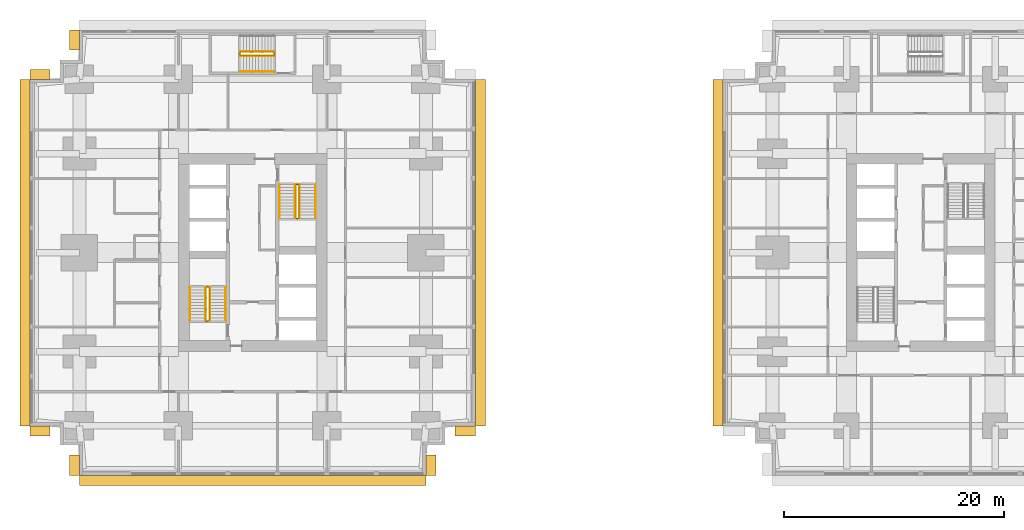
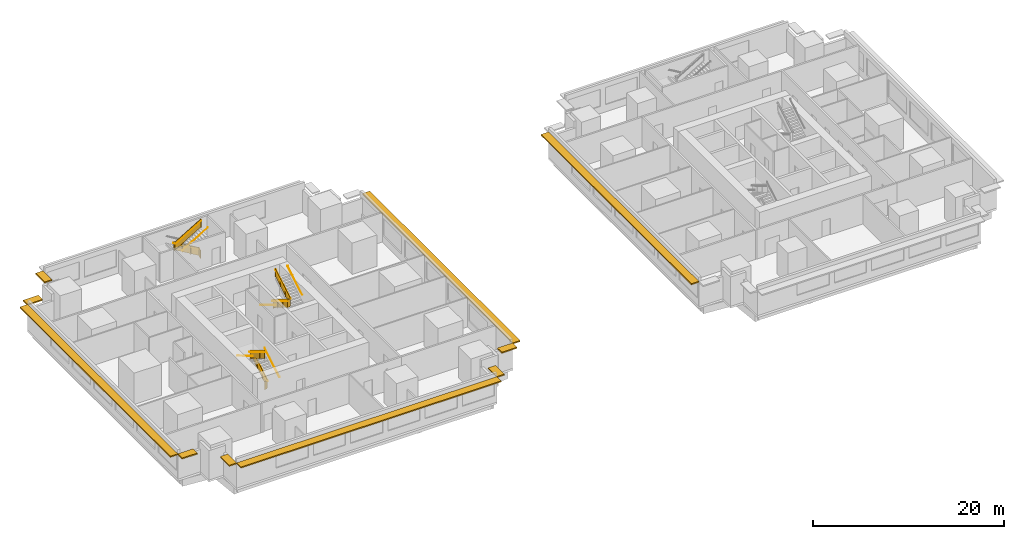
# One storey, part 9 of 11: 14 railings, 10 shading devices.
"""IFC4 building model written with IfcOpenShell, lengths in metres."""

from ifc_helpers import new_model, si_unit, direction, frame, origin, origin_2d, place, context, subcontext, project, spatial, polyline, rectangle, circle, outline, extrude, material, layer, layer_set, type_object, element, save


model = new_model("IFC4")

# Units and contexts
model_context = context("Model", 3, precision=1e-05, world=origin(), true_north=direction((0.0, 1.0)))
body_context = subcontext(model_context, "Body", "Model", "MODEL_VIEW")
ifc_project = project(units=[si_unit("LENGTHUNIT", "METRE"), si_unit("AREAUNIT", "SQUARE_METRE"), si_unit("VOLUMEUNIT", "CUBIC_METRE"), si_unit("PLANEANGLEUNIT", "RADIAN"), si_unit("MASSUNIT", "GRAM", prefix="KILO")], contexts=[model_context])

# Site, building, storey
site_placement = place(None, origin())
site = spatial("IfcSite", under=ifc_project, at=site_placement, CompositionType="ELEMENT")
building_placement = place(site_placement, origin())
building = spatial("IfcBuilding", under=site, at=building_placement, Name="Namib Vertical Campus", CompositionType="ELEMENT")
storey_placement = place(building_placement, frame((0.0, 0.0, 25.0)))
storey = spatial("IfcBuildingStorey", under=building, at=storey_placement, Name="L05", CompositionType="ELEMENT", Elevation=25.0)

# Railings
ifc_material_1 = material(Name="Steel handrail", Category="steel")
railing_type_1 = type_object("IfcRailingType", Name="Handrail 900", PredefinedType="HANDRAIL", material=ifc_material_1)
railing_1_placement = place(storey_placement, frame((17.800048828125, 14.050048828125, 0.166748046875)))
element("IfcRailing", 1, at=railing_1_placement, inside=storey, type_object=railing_type_1, Name="Handrail HR1 A-S1 L05 1", PredefinedType="HANDRAIL", context=body_context, shape_type="SweptSolid", body=[
    extrude(circle(Radius=0.02392578125, at=origin_2d()), frame((0.0, 0.0, 0.8759765625), z_axis=(0.0, 0.859290745958, 0.51148745235), x_axis=(-1.0, 0.0, 0.0)), (0.0, 0.0, 1.0), 3.584228515625),
    extrude(circle(Radius=0.008056640625, at=origin_2d()), frame((0.0, 0.0, 0.8759765625), z_axis=(1.0, 0.0, 0.0), x_axis=(0.0, 0.0, 1.0)), (0.0, 0.0, 1.0), 0.050048828125),
    extrude(circle(Radius=0.008056640625, at=origin_2d()), frame((0.0, 1.026611328125, 1.48681640625), z_axis=(1.0, 0.0, 0.0), x_axis=(0.0, 0.0, 1.0)), (0.0, 0.0, 1.0), 0.050048828125),
    extrude(circle(Radius=0.008056640625, at=origin_2d()), frame((0.0, 2.05322265625, 2.09814453125), z_axis=(1.0, 0.0, 0.0), x_axis=(0.0, 0.0, 1.0)), (0.0, 0.0, 1.0), 0.050048828125),
    extrude(circle(Radius=0.008056640625, at=origin_2d()), frame((0.0, 3.079833984375, 2.708984375), z_axis=(1.0, 0.0, 0.0), x_axis=(0.0, 0.0, 1.0)), (0.0, 0.0, 1.0), 0.050048828125),
])
railing_2_placement = place(storey_placement, frame((14.550048828125, 17.1298828125, 2.166748046875)))
element("IfcRailing", 2, at=railing_2_placement, inside=storey, type_object=railing_type_1, Name="Handrail HR1 A-S1 L05 2", PredefinedType="HANDRAIL", context=body_context, shape_type="SweptSolid", body=[
    extrude(circle(Radius=0.02392578125, at=origin_2d()), frame((0.0, 0.0, 0.8759765625), z_axis=(0.0, -0.859290745958, 0.51148745235), x_axis=(1.0, 0.0, 0.0)), (0.0, 0.0, 1.0), 3.584228515625),
    extrude(circle(Radius=0.008056640625, at=origin_2d()), frame((0.0, 0.0, 0.8759765625), z_axis=(-1.0, 0.0, 0.0), x_axis=(0.0, 0.0, 1.0)), (0.0, 0.0, 1.0), 0.050048828125),
    extrude(circle(Radius=0.008056640625, at=origin_2d()), frame((0.0, -1.026611328125, 1.48681640625), z_axis=(-1.0, 0.0, 0.0), x_axis=(0.0, 0.0, 1.0)), (0.0, 0.0, 1.0), 0.050048828125),
    extrude(circle(Radius=0.008056640625, at=origin_2d()), frame((0.0, -2.05322265625, 2.09814453125), z_axis=(-1.0, 0.0, 0.0), x_axis=(0.0, 0.0, 1.0)), (0.0, 0.0, 1.0), 0.050048828125),
    extrude(circle(Radius=0.008056640625, at=origin_2d()), frame((0.0, -3.079833984375, 2.708984375), z_axis=(-1.0, 0.0, 0.0), x_axis=(0.0, 0.0, 1.0)), (0.0, 0.0, 1.0), 0.050048828125),
])
railing_3_placement = place(storey_placement, frame((16.375, 14.050048828125, 0.166748046875)))
element("IfcRailing", 3, at=railing_3_placement, inside=storey, type_object=railing_type_1, Name="Handrail HR1 A-S1 L05 1 at the well", PredefinedType="HANDRAIL", context=body_context, shape_type="SweptSolid", body=[
    extrude(circle(Radius=0.02392578125, at=origin_2d()), frame((0.0, 0.0, 0.8759765625), z_axis=(0.0, 0.859290745958, 0.51148745235), x_axis=(-1.0, 0.0, 0.0)), (0.0, 0.0, 1.0), 3.584228515625),
    extrude(circle(Radius=0.008056640625, at=origin_2d()), frame((0.0, 0.0, 0.8759765625), z_axis=(-1.0, 0.0, 0.0), x_axis=(0.0, 0.0, 1.0)), (0.0, 0.0, 1.0), 0.0400390625),
    extrude(circle(Radius=0.008056640625, at=origin_2d()), frame((0.0, 1.026611328125, 1.48681640625), z_axis=(-1.0, 0.0, 0.0), x_axis=(0.0, 0.0, 1.0)), (0.0, 0.0, 1.0), 0.0400390625),
    extrude(circle(Radius=0.008056640625, at=origin_2d()), frame((0.0, 2.05322265625, 2.09814453125), z_axis=(-1.0, 0.0, 0.0), x_axis=(0.0, 0.0, 1.0)), (0.0, 0.0, 1.0), 0.0400390625),
    extrude(circle(Radius=0.008056640625, at=origin_2d()), frame((0.0, 3.079833984375, 2.708984375), z_axis=(-1.0, 0.0, 0.0), x_axis=(0.0, 0.0, 1.0)), (0.0, 0.0, 1.0), 0.0400390625),
])
railing_4_placement = place(storey_placement, frame((15.97509765625, 17.1298828125, 2.166748046875)))
element("IfcRailing", 4, at=railing_4_placement, inside=storey, type_object=railing_type_1, Name="Handrail HR1 A-S1 L05 2 at the well", PredefinedType="HANDRAIL", context=body_context, shape_type="SweptSolid", body=[
    extrude(circle(Radius=0.02392578125, at=origin_2d()), frame((0.0, 0.0, 0.8759765625), z_axis=(0.0, -0.859290745958, 0.51148745235), x_axis=(1.0, 0.0, 0.0)), (0.0, 0.0, 1.0), 3.584228515625),
    extrude(circle(Radius=0.008056640625, at=origin_2d()), frame((0.0, 0.0, 0.8759765625), z_axis=(1.0, 0.0, 0.0), x_axis=(0.0, 0.0, 1.0)), (0.0, 0.0, 1.0), 0.0400390625),
    extrude(circle(Radius=0.008056640625, at=origin_2d()), frame((0.0, -1.026611328125, 1.48681640625), z_axis=(1.0, 0.0, 0.0), x_axis=(0.0, 0.0, 1.0)), (0.0, 0.0, 1.0), 0.0400390625),
    extrude(circle(Radius=0.008056640625, at=origin_2d()), frame((0.0, -2.05322265625, 2.09814453125), z_axis=(1.0, 0.0, 0.0), x_axis=(0.0, 0.0, 1.0)), (0.0, 0.0, 1.0), 0.0400390625),
    extrude(circle(Radius=0.008056640625, at=origin_2d()), frame((0.0, -3.079833984375, 2.708984375), z_axis=(1.0, 0.0, 0.0), x_axis=(0.0, 0.0, 1.0)), (0.0, 0.0, 1.0), 0.0400390625),
])
railing_5_placement = place(storey_placement, frame((22.699951171875, 26.449951171875, 0.166748046875)))
element("IfcRailing", 5, at=railing_5_placement, inside=storey, type_object=railing_type_1, Name="Handrail HR1 A-S2 L05 1", PredefinedType="HANDRAIL", context=body_context, shape_type="SweptSolid", body=[
    extrude(circle(Radius=0.02392578125, at=origin_2d()), frame((0.0, 0.0, 0.8759765625), z_axis=(0.0, -0.859290745958, 0.51148745235), x_axis=(1.0, 0.0, 0.0)), (0.0, 0.0, 1.0), 3.584228515625),
    extrude(circle(Radius=0.008056640625, at=origin_2d()), frame((0.0, 0.0, 0.8759765625), z_axis=(-1.0, 0.0, 0.0), x_axis=(0.0, 0.0, 1.0)), (0.0, 0.0, 1.0), 0.050048828125),
    extrude(circle(Radius=0.008056640625, at=origin_2d()), frame((0.0, -1.026611328125, 1.48681640625), z_axis=(-1.0, 0.0, 0.0), x_axis=(0.0, 0.0, 1.0)), (0.0, 0.0, 1.0), 0.050048828125),
    extrude(circle(Radius=0.008056640625, at=origin_2d()), frame((0.0, -2.05322265625, 2.09814453125), z_axis=(-1.0, 0.0, 0.0), x_axis=(0.0, 0.0, 1.0)), (0.0, 0.0, 1.0), 0.050048828125),
    extrude(circle(Radius=0.008056640625, at=origin_2d()), frame((0.0, -3.079833984375, 2.708984375), z_axis=(-1.0, 0.0, 0.0), x_axis=(0.0, 0.0, 1.0)), (0.0, 0.0, 1.0), 0.050048828125),
])
railing_6_placement = place(storey_placement, frame((25.949951171875, 23.3701171875, 2.166748046875)))
element("IfcRailing", 6, at=railing_6_placement, inside=storey, type_object=railing_type_1, Name="Handrail HR1 A-S2 L05 2", PredefinedType="HANDRAIL", context=body_context, shape_type="SweptSolid", body=[
    extrude(circle(Radius=0.02392578125, at=origin_2d()), frame((0.0, 0.0, 0.8759765625), z_axis=(0.0, 0.859290745958, 0.51148745235), x_axis=(-1.0, 0.0, 0.0)), (0.0, 0.0, 1.0), 3.584228515625),
    extrude(circle(Radius=0.008056640625, at=origin_2d()), frame((0.0, 0.0, 0.8759765625), z_axis=(1.0, 0.0, 0.0), x_axis=(0.0, 0.0, 1.0)), (0.0, 0.0, 1.0), 0.050048828125),
    extrude(circle(Radius=0.008056640625, at=origin_2d()), frame((0.0, 1.026611328125, 1.48681640625), z_axis=(1.0, 0.0, 0.0), x_axis=(0.0, 0.0, 1.0)), (0.0, 0.0, 1.0), 0.050048828125),
    extrude(circle(Radius=0.008056640625, at=origin_2d()), frame((0.0, 2.05322265625, 2.09814453125), z_axis=(1.0, 0.0, 0.0), x_axis=(0.0, 0.0, 1.0)), (0.0, 0.0, 1.0), 0.050048828125),
    extrude(circle(Radius=0.008056640625, at=origin_2d()), frame((0.0, 3.079833984375, 2.708984375), z_axis=(1.0, 0.0, 0.0), x_axis=(0.0, 0.0, 1.0)), (0.0, 0.0, 1.0), 0.050048828125),
])
railing_7_placement = place(storey_placement, frame((24.125, 26.449951171875, 0.166748046875)))
element("IfcRailing", 7, at=railing_7_placement, inside=storey, type_object=railing_type_1, Name="Handrail HR1 A-S2 L05 1 at the well", PredefinedType="HANDRAIL", context=body_context, shape_type="SweptSolid", body=[
    extrude(circle(Radius=0.02392578125, at=origin_2d()), frame((0.0, 0.0, 0.8759765625), z_axis=(0.0, -0.859290745958, 0.51148745235), x_axis=(1.0, 0.0, 0.0)), (0.0, 0.0, 1.0), 3.584228515625),
    extrude(circle(Radius=0.008056640625, at=origin_2d()), frame((0.0, 0.0, 0.8759765625), z_axis=(1.0, 0.0, 0.0), x_axis=(0.0, 0.0, 1.0)), (0.0, 0.0, 1.0), 0.0400390625),
    extrude(circle(Radius=0.008056640625, at=origin_2d()), frame((0.0, -1.026611328125, 1.48681640625), z_axis=(1.0, 0.0, 0.0), x_axis=(0.0, 0.0, 1.0)), (0.0, 0.0, 1.0), 0.0400390625),
    extrude(circle(Radius=0.008056640625, at=origin_2d()), frame((0.0, -2.05322265625, 2.09814453125), z_axis=(1.0, 0.0, 0.0), x_axis=(0.0, 0.0, 1.0)), (0.0, 0.0, 1.0), 0.0400390625),
    extrude(circle(Radius=0.008056640625, at=origin_2d()), frame((0.0, -3.079833984375, 2.708984375), z_axis=(1.0, 0.0, 0.0), x_axis=(0.0, 0.0, 1.0)), (0.0, 0.0, 1.0), 0.0400390625),
])
railing_8_placement = place(storey_placement, frame((24.52490234375, 23.3701171875, 2.166748046875)))
element("IfcRailing", 8, at=railing_8_placement, inside=storey, type_object=railing_type_1, Name="Handrail HR1 A-S2 L05 2 at the well", PredefinedType="HANDRAIL", context=body_context, shape_type="SweptSolid", body=[
    extrude(circle(Radius=0.02392578125, at=origin_2d()), frame((0.0, 0.0, 0.8759765625), z_axis=(0.0, 0.859290745958, 0.51148745235), x_axis=(-1.0, 0.0, 0.0)), (0.0, 0.0, 1.0), 3.584228515625),
    extrude(circle(Radius=0.008056640625, at=origin_2d()), frame((0.0, 0.0, 0.8759765625), z_axis=(-1.0, 0.0, 0.0), x_axis=(0.0, 0.0, 1.0)), (0.0, 0.0, 1.0), 0.0400390625),
    extrude(circle(Radius=0.008056640625, at=origin_2d()), frame((0.0, 1.026611328125, 1.48681640625), z_axis=(-1.0, 0.0, 0.0), x_axis=(0.0, 0.0, 1.0)), (0.0, 0.0, 1.0), 0.0400390625),
    extrude(circle(Radius=0.008056640625, at=origin_2d()), frame((0.0, 2.05322265625, 2.09814453125), z_axis=(-1.0, 0.0, 0.0), x_axis=(0.0, 0.0, 1.0)), (0.0, 0.0, 1.0), 0.0400390625),
    extrude(circle(Radius=0.008056640625, at=origin_2d()), frame((0.0, 3.079833984375, 2.708984375), z_axis=(-1.0, 0.0, 0.0), x_axis=(0.0, 0.0, 1.0)), (0.0, 0.0, 1.0), 0.0400390625),
])
railing_9_placement = place(storey_placement, frame((19.1201171875, 36.699951171875, 2.166748046875)))
element("IfcRailing", 9, at=railing_9_placement, inside=storey, type_object=railing_type_1, Name="Handrail HR1 A-S3 L05 2", PredefinedType="HANDRAIL", context=body_context, shape_type="SweptSolid", body=[
    extrude(circle(Radius=0.02392578125, at=origin_2d()), frame((0.0, 0.0, 0.8759765625), z_axis=(0.859290745958, 0.0, 0.51148745235), x_axis=(0.0, 1.0, 0.0)), (0.0, 0.0, 1.0), 3.584228515625),
    extrude(circle(Radius=0.008056640625, at=origin_2d()), frame((0.0, 0.0, 0.8759765625), z_axis=(0.0, -1.0, 0.0), x_axis=(0.0, 0.0, 1.0)), (0.0, 0.0, 1.0), 0.050048828125),
    extrude(circle(Radius=0.008056640625, at=origin_2d()), frame((1.026611328125, 0.0, 1.48681640625), z_axis=(0.0, -1.0, 0.0), x_axis=(0.0, 0.0, 1.0)), (0.0, 0.0, 1.0), 0.050048828125),
    extrude(circle(Radius=0.008056640625, at=origin_2d()), frame((2.05322265625, 0.0, 2.09814453125), z_axis=(0.0, -1.0, 0.0), x_axis=(0.0, 0.0, 1.0)), (0.0, 0.0, 1.0), 0.050048828125),
    extrude(circle(Radius=0.008056640625, at=origin_2d()), frame((3.079833984375, 0.0, 2.708984375), z_axis=(0.0, -1.0, 0.0), x_axis=(0.0, 0.0, 1.0)), (0.0, 0.0, 1.0), 0.050048828125),
])
railing_10_placement = place(storey_placement, frame((22.199951171875, 38.52490234375, 0.166748046875)))
element("IfcRailing", 10, at=railing_10_placement, inside=storey, type_object=railing_type_1, Name="Handrail HR1 A-S3 L05 1 at the well", PredefinedType="HANDRAIL", context=body_context, shape_type="SweptSolid", body=[
    extrude(circle(Radius=0.02392578125, at=origin_2d()), frame((0.0, 0.0, 0.8759765625), z_axis=(-0.859290745958, 0.0, 0.51148745235), x_axis=(0.0, -1.0, 0.0)), (0.0, 0.0, 1.0), 3.584228515625),
    extrude(circle(Radius=0.008056640625, at=origin_2d()), frame((0.0, 0.0, 0.8759765625), z_axis=(0.0, -1.0, 0.0), x_axis=(0.0, 0.0, 1.0)), (0.0, 0.0, 1.0), 0.0400390625),
    extrude(circle(Radius=0.008056640625, at=origin_2d()), frame((-1.026611328125, 0.0, 1.48681640625), z_axis=(0.0, -1.0, 0.0), x_axis=(0.0, 0.0, 1.0)), (0.0, 0.0, 1.0), 0.0400390625),
    extrude(circle(Radius=0.008056640625, at=origin_2d()), frame((-2.05322265625, 0.0, 2.09814453125), z_axis=(0.0, -1.0, 0.0), x_axis=(0.0, 0.0, 1.0)), (0.0, 0.0, 1.0), 0.0400390625),
    extrude(circle(Radius=0.008056640625, at=origin_2d()), frame((-3.079833984375, 0.0, 2.708984375), z_axis=(0.0, -1.0, 0.0), x_axis=(0.0, 0.0, 1.0)), (0.0, 0.0, 1.0), 0.0400390625),
])
railing_11_placement = place(storey_placement, frame((19.1201171875, 38.125, 2.166748046875)))
element("IfcRailing", 11, at=railing_11_placement, inside=storey, type_object=railing_type_1, Name="Handrail HR1 A-S3 L05 2 at the well", PredefinedType="HANDRAIL", context=body_context, shape_type="SweptSolid", body=[
    extrude(circle(Radius=0.02392578125, at=origin_2d()), frame((0.0, 0.0, 0.8759765625), z_axis=(0.859290745958, 0.0, 0.51148745235), x_axis=(0.0, 1.0, 0.0)), (0.0, 0.0, 1.0), 3.584228515625),
    extrude(circle(Radius=0.008056640625, at=origin_2d()), frame((0.0, 0.0, 0.8759765625), z_axis=(0.0, 1.0, 0.0), x_axis=(0.0, 0.0, 1.0)), (0.0, 0.0, 1.0), 0.0400390625),
    extrude(circle(Radius=0.008056640625, at=origin_2d()), frame((1.026611328125, 0.0, 1.48681640625), z_axis=(0.0, 1.0, 0.0), x_axis=(0.0, 0.0, 1.0)), (0.0, 0.0, 1.0), 0.0400390625),
    extrude(circle(Radius=0.008056640625, at=origin_2d()), frame((2.05322265625, 0.0, 2.09814453125), z_axis=(0.0, 1.0, 0.0), x_axis=(0.0, 0.0, 1.0)), (0.0, 0.0, 1.0), 0.0400390625),
    extrude(circle(Radius=0.008056640625, at=origin_2d()), frame((3.079833984375, 0.0, 2.708984375), z_axis=(0.0, 1.0, 0.0), x_axis=(0.0, 0.0, 1.0)), (0.0, 0.0, 1.0), 0.0400390625),
])
ifc_material_2 = material(Name="Steel balustrade", Category="steel")
railing_type_2 = type_object("IfcRailingType", Name="Stair guard 1100", PredefinedType="GUARDRAIL", material=ifc_material_2)
railing_12_placement = place(storey_placement, frame((16.02490234375, 14.050048828125, 0.0)))
element("IfcRailing", 12, at=railing_12_placement, inside=storey, type_object=railing_type_2, Name="Stair guard GR1 A-S1 L05", PredefinedType="GUARDRAIL", context=body_context, shape_type="SweptSolid", body=[
    extrude(circle(Radius=0.02392578125, at=origin_2d()), frame((0.0, 0.0, 1.076171875), z_axis=(1.0, 0.0, 0.0), x_axis=(0.0, 1.0, 0.0)), (0.0, 0.0, 1.0), 0.300048828125),
    extrude(outline(polyline([(0.02099609375, 0.050048828125), (0.279052734375, 0.050048828125), (0.279052734375, 1.052001953125), (0.02099609375, 1.052001953125), (0.02099609375, 0.050048828125)])), frame((0.0, 0.010009765625, 0.0), z_axis=(0.0, -1.0, 0.0), x_axis=(1.0, 0.0, 0.0)), (0.0, 0.0, 1.0), 0.02001953125),
    extrude(circle(Radius=0.02392578125, at=origin_2d()), frame((0.300048828125, 0.0, 1.076171875), z_axis=(0.0, 0.0, 1.0), x_axis=(1.0, 0.0, 0.0)), (0.0, 0.0, 1.0), 0.166748046875),
    extrude(circle(Radius=0.02392578125, at=origin_2d()), frame((0.300048828125, 0.0, 1.24267578125), z_axis=(0.0, 0.859290745958, 0.51148745235), x_axis=(-1.0, 0.0, 0.0)), (0.0, 0.0, 1.0), 3.584228515625),
    extrude(outline(polyline([(0.02099609375, 0.0625), (3.058837890625, 1.870849609375), (3.058837890625, 2.872802734375), (0.02099609375, 1.064453125), (0.02099609375, 0.0625)])), frame((0.2900390625, 0.0, 0.166748046875), z_axis=(1.0, 0.0, 0.0), x_axis=(0.0, 1.0, 0.0)), (0.0, 0.0, 1.0), 0.02001953125),
    extrude(circle(Radius=0.02392578125, at=origin_2d()), frame((0.300048828125, 3.079833984375, 3.076171875), z_axis=(-1.0, 0.0, 0.0), x_axis=(0.0, -1.0, 0.0)), (0.0, 0.0, 1.0), 0.300048828125),
    extrude(outline(polyline([(0.02099609375, 0.050048828125), (0.279052734375, 0.050048828125), (0.279052734375, 1.052001953125), (0.02099609375, 1.052001953125), (0.02099609375, 0.050048828125)])), frame((0.300048828125, 3.06982421875, 2.0), z_axis=(0.0, 1.0, 0.0), x_axis=(-1.0, 0.0, 0.0)), (0.0, 0.0, 1.0), 0.02001953125),
    extrude(circle(Radius=0.02392578125, at=origin_2d()), frame((0.0, 3.079833984375, 3.076171875), z_axis=(0.0, 0.0, 1.0), x_axis=(1.0, 0.0, 0.0)), (0.0, 0.0, 1.0), 0.166748046875),
    extrude(circle(Radius=0.02392578125, at=origin_2d()), frame((0.0, 3.079833984375, 3.24267578125), z_axis=(0.0, -0.859290745958, 0.51148745235), x_axis=(1.0, 0.0, 0.0)), (0.0, 0.0, 1.0), 3.584228515625),
    extrude(outline(polyline([(0.02099609375, 0.0625), (3.058837890625, 1.870849609375), (3.058837890625, 2.872802734375), (0.02099609375, 1.064453125), (0.02099609375, 0.0625)])), frame((0.010009765625, 3.079833984375, 2.166748046875), z_axis=(-1.0, 0.0, 0.0), x_axis=(0.0, -1.0, 0.0)), (0.0, 0.0, 1.0), 0.02001953125),
    extrude(circle(Radius=0.02392578125, at=origin_2d()), frame((0.0, 0.0, 5.076171875), z_axis=(0.0, -1.0, 0.0), x_axis=(1.0, 0.0, 0.0)), (0.0, 0.0, 1.0), 0.050048828125),
    extrude(outline(polyline([(0.02099609375, 0.050048828125), (0.029052734375, 0.050048828125), (0.029052734375, 1.052001953125), (0.02099609375, 1.052001953125), (0.02099609375, 0.050048828125)])), frame((0.010009765625, 0.0, 4.0), z_axis=(-1.0, 0.0, 0.0), x_axis=(0.0, -1.0, 0.0)), (0.0, 0.0, 1.0), 0.02001953125),
    extrude(circle(Radius=0.02099609375, at=origin_2d()), origin(), (0.0, 0.0, 1.0), 1.052001953125),
    extrude(circle(Radius=0.02099609375, at=origin_2d()), frame((0.300048828125, 0.0, 0.166748046875)), (0.0, 0.0, 1.0), 1.052001953125),
    extrude(circle(Radius=0.02099609375, at=origin_2d()), frame((0.300048828125, 1.026611328125, 0.666748046875)), (0.0, 0.0, 1.0), 1.1630859375),
    extrude(circle(Radius=0.02099609375, at=origin_2d()), frame((0.300048828125, 2.05322265625, 1.33349609375)), (0.0, 0.0, 1.0), 1.107421875),
    extrude(circle(Radius=0.02099609375, at=origin_2d()), frame((0.300048828125, 3.079833984375, 2.0)), (0.0, 0.0, 1.0), 1.052001953125),
    extrude(circle(Radius=0.02099609375, at=origin_2d()), frame((0.0, 3.079833984375, 2.166748046875)), (0.0, 0.0, 1.0), 1.052001953125),
    extrude(circle(Radius=0.02099609375, at=origin_2d()), frame((0.0, 2.05322265625, 2.666748046875)), (0.0, 0.0, 1.0), 1.1630859375),
    extrude(circle(Radius=0.02099609375, at=origin_2d()), frame((0.0, 1.026611328125, 3.33349609375)), (0.0, 0.0, 1.0), 1.107421875),
    extrude(circle(Radius=0.02099609375, at=origin_2d()), frame((0.0, 0.0, 4.0)), (0.0, 0.0, 1.0), 1.052001953125),
    extrude(circle(Radius=0.02099609375, at=origin_2d()), frame((0.0, -0.050048828125, 4.0)), (0.0, 0.0, 1.0), 1.052001953125),
])
railing_13_placement = place(storey_placement, frame((24.47509765625, 26.449951171875, 0.0)))
element("IfcRailing", 13, at=railing_13_placement, inside=storey, type_object=railing_type_2, Name="Stair guard GR1 A-S2 L05", PredefinedType="GUARDRAIL", context=body_context, shape_type="SweptSolid", body=[
    extrude(circle(Radius=0.02392578125, at=origin_2d()), frame((0.0, 0.0, 1.076171875), z_axis=(-1.0, 0.0, 0.0), x_axis=(0.0, -1.0, 0.0)), (0.0, 0.0, 1.0), 0.300048828125),
    extrude(outline(polyline([(0.02099609375, 0.050048828125), (0.279052734375, 0.050048828125), (0.279052734375, 1.052001953125), (0.02099609375, 1.052001953125), (0.02099609375, 0.050048828125)])), frame((0.0, -0.010009765625, 0.0), z_axis=(0.0, 1.0, 0.0), x_axis=(-1.0, 0.0, 0.0)), (0.0, 0.0, 1.0), 0.02001953125),
    extrude(circle(Radius=0.02392578125, at=origin_2d()), frame((-0.300048828125, 0.0, 1.076171875), z_axis=(0.0, 0.0, 1.0), x_axis=(1.0, 0.0, 0.0)), (0.0, 0.0, 1.0), 0.166748046875),
    extrude(circle(Radius=0.02392578125, at=origin_2d()), frame((-0.300048828125, 0.0, 1.24267578125), z_axis=(0.0, -0.859290745958, 0.51148745235), x_axis=(1.0, 0.0, 0.0)), (0.0, 0.0, 1.0), 3.584228515625),
    extrude(outline(polyline([(0.02099609375, 0.0625), (3.058837890625, 1.870849609375), (3.058837890625, 2.872802734375), (0.02099609375, 1.064453125), (0.02099609375, 0.0625)])), frame((-0.2900390625, 0.0, 0.166748046875), z_axis=(-1.0, 0.0, 0.0), x_axis=(0.0, -1.0, 0.0)), (0.0, 0.0, 1.0), 0.02001953125),
    extrude(circle(Radius=0.02392578125, at=origin_2d()), frame((-0.300048828125, -3.079833984375, 3.076171875), z_axis=(1.0, 0.0, 0.0), x_axis=(0.0, 1.0, 0.0)), (0.0, 0.0, 1.0), 0.300048828125),
    extrude(outline(polyline([(0.02099609375, 0.050048828125), (0.279052734375, 0.050048828125), (0.279052734375, 1.052001953125), (0.02099609375, 1.052001953125), (0.02099609375, 0.050048828125)])), frame((-0.300048828125, -3.06982421875, 2.0), z_axis=(0.0, -1.0, 0.0), x_axis=(1.0, 0.0, 0.0)), (0.0, 0.0, 1.0), 0.02001953125),
    extrude(circle(Radius=0.02392578125, at=origin_2d()), frame((0.0, -3.079833984375, 3.076171875), z_axis=(0.0, 0.0, 1.0), x_axis=(1.0, 0.0, 0.0)), (0.0, 0.0, 1.0), 0.166748046875),
    extrude(circle(Radius=0.02392578125, at=origin_2d()), frame((0.0, -3.079833984375, 3.24267578125), z_axis=(0.0, 0.859290745958, 0.51148745235), x_axis=(-1.0, 0.0, 0.0)), (0.0, 0.0, 1.0), 3.584228515625),
    extrude(outline(polyline([(0.02099609375, 0.0625), (3.058837890625, 1.870849609375), (3.058837890625, 2.872802734375), (0.02099609375, 1.064453125), (0.02099609375, 0.0625)])), frame((-0.010009765625, -3.079833984375, 2.166748046875), z_axis=(1.0, 0.0, 0.0), x_axis=(0.0, 1.0, 0.0)), (0.0, 0.0, 1.0), 0.02001953125),
    extrude(circle(Radius=0.02392578125, at=origin_2d()), frame((0.0, 0.0, 5.076171875), z_axis=(0.0, 1.0, 0.0), x_axis=(-1.0, 0.0, 0.0)), (0.0, 0.0, 1.0), 0.050048828125),
    extrude(outline(polyline([(0.02099609375, 0.050048828125), (0.029052734375, 0.050048828125), (0.029052734375, 1.052001953125), (0.02099609375, 1.052001953125), (0.02099609375, 0.050048828125)])), frame((-0.010009765625, 0.0, 4.0), z_axis=(1.0, 0.0, 0.0), x_axis=(0.0, 1.0, 0.0)), (0.0, 0.0, 1.0), 0.02001953125),
    extrude(circle(Radius=0.02099609375, at=origin_2d()), origin(), (0.0, 0.0, 1.0), 1.052001953125),
    extrude(circle(Radius=0.02099609375, at=origin_2d()), frame((-0.300048828125, 0.0, 0.166748046875)), (0.0, 0.0, 1.0), 1.052001953125),
    extrude(circle(Radius=0.02099609375, at=origin_2d()), frame((-0.300048828125, -1.026611328125, 0.666748046875)), (0.0, 0.0, 1.0), 1.1630859375),
    extrude(circle(Radius=0.02099609375, at=origin_2d()), frame((-0.300048828125, -2.05322265625, 1.33349609375)), (0.0, 0.0, 1.0), 1.107421875),
    extrude(circle(Radius=0.02099609375, at=origin_2d()), frame((-0.300048828125, -3.079833984375, 2.0)), (0.0, 0.0, 1.0), 1.052001953125),
    extrude(circle(Radius=0.02099609375, at=origin_2d()), frame((0.0, -3.079833984375, 2.166748046875)), (0.0, 0.0, 1.0), 1.052001953125),
    extrude(circle(Radius=0.02099609375, at=origin_2d()), frame((0.0, -2.05322265625, 2.666748046875)), (0.0, 0.0, 1.0), 1.1630859375),
    extrude(circle(Radius=0.02099609375, at=origin_2d()), frame((0.0, -1.026611328125, 3.33349609375)), (0.0, 0.0, 1.0), 1.107421875),
    extrude(circle(Radius=0.02099609375, at=origin_2d()), frame((0.0, 0.0, 4.0)), (0.0, 0.0, 1.0), 1.052001953125),
    extrude(circle(Radius=0.02099609375, at=origin_2d()), frame((0.0, 0.050048828125, 4.0)), (0.0, 0.0, 1.0), 1.052001953125),
])
railing_14_placement = place(storey_placement, frame((22.199951171875, 38.175048828125, 0.0)))
element("IfcRailing", 14, at=railing_14_placement, inside=storey, type_object=railing_type_2, Name="Stair guard GR1 A-S3 L05", PredefinedType="GUARDRAIL", context=body_context, shape_type="SweptSolid", body=[
    extrude(circle(Radius=0.02392578125, at=origin_2d()), frame((0.0, 0.0, 1.076171875), z_axis=(0.0, 1.0, 0.0), x_axis=(-1.0, 0.0, 0.0)), (0.0, 0.0, 1.0), 0.300048828125),
    extrude(outline(polyline([(0.02099609375, 0.050048828125), (0.279052734375, 0.050048828125), (0.279052734375, 1.052001953125), (0.02099609375, 1.052001953125), (0.02099609375, 0.050048828125)])), frame((-0.010009765625, 0.0, 0.0), z_axis=(1.0, 0.0, 0.0), x_axis=(0.0, 1.0, 0.0)), (0.0, 0.0, 1.0), 0.02001953125),
    extrude(circle(Radius=0.02392578125, at=origin_2d()), frame((0.0, 0.300048828125, 1.076171875), z_axis=(0.0, 0.0, 1.0), x_axis=(1.0, 0.0, 0.0)), (0.0, 0.0, 1.0), 0.166748046875),
    extrude(circle(Radius=0.02392578125, at=origin_2d()), frame((0.0, 0.300048828125, 1.24267578125), z_axis=(-0.859290745958, 0.0, 0.51148745235), x_axis=(0.0, -1.0, 0.0)), (0.0, 0.0, 1.0), 3.584228515625),
    extrude(outline(polyline([(0.02099609375, 0.0625), (3.058837890625, 1.870849609375), (3.058837890625, 2.872802734375), (0.02099609375, 1.064453125), (0.02099609375, 0.0625)])), frame((0.0, 0.2900390625, 0.166748046875), z_axis=(0.0, 1.0, 0.0), x_axis=(-1.0, 0.0, 0.0)), (0.0, 0.0, 1.0), 0.02001953125),
    extrude(circle(Radius=0.02392578125, at=origin_2d()), frame((-3.079833984375, 0.300048828125, 3.076171875), z_axis=(0.0, -1.0, 0.0), x_axis=(1.0, 0.0, 0.0)), (0.0, 0.0, 1.0), 0.300048828125),
    extrude(outline(polyline([(0.02099609375, 0.050048828125), (0.279052734375, 0.050048828125), (0.279052734375, 1.052001953125), (0.02099609375, 1.052001953125), (0.02099609375, 0.050048828125)])), frame((-3.06982421875, 0.300048828125, 2.0), z_axis=(-1.0, 0.0, 0.0), x_axis=(0.0, -1.0, 0.0)), (0.0, 0.0, 1.0), 0.02001953125),
    extrude(circle(Radius=0.02392578125, at=origin_2d()), frame((-3.079833984375, 0.0, 3.076171875), z_axis=(0.0, 0.0, 1.0), x_axis=(1.0, 0.0, 0.0)), (0.0, 0.0, 1.0), 0.166748046875),
    extrude(circle(Radius=0.02392578125, at=origin_2d()), frame((-3.079833984375, 0.0, 3.24267578125), z_axis=(0.859290745958, 0.0, 0.51148745235), x_axis=(0.0, 1.0, 0.0)), (0.0, 0.0, 1.0), 3.584228515625),
    extrude(outline(polyline([(0.02099609375, 0.0625), (3.058837890625, 1.870849609375), (3.058837890625, 2.872802734375), (0.02099609375, 1.064453125), (0.02099609375, 0.0625)])), frame((-3.079833984375, 0.010009765625, 2.166748046875), z_axis=(0.0, -1.0, 0.0), x_axis=(1.0, 0.0, 0.0)), (0.0, 0.0, 1.0), 0.02001953125),
    extrude(circle(Radius=0.02392578125, at=origin_2d()), frame((0.0, 0.0, 5.076171875), z_axis=(1.0, 0.0, 0.0), x_axis=(0.0, 1.0, 0.0)), (0.0, 0.0, 1.0), 0.050048828125),
    extrude(outline(polyline([(0.02099609375, 0.050048828125), (0.029052734375, 0.050048828125), (0.029052734375, 1.052001953125), (0.02099609375, 1.052001953125), (0.02099609375, 0.050048828125)])), frame((0.0, 0.010009765625, 4.0), z_axis=(0.0, -1.0, 0.0), x_axis=(1.0, 0.0, 0.0)), (0.0, 0.0, 1.0), 0.02001953125),
    extrude(circle(Radius=0.02099609375, at=origin_2d()), origin(), (0.0, 0.0, 1.0), 1.052001953125),
    extrude(circle(Radius=0.02099609375, at=origin_2d()), frame((0.0, 0.300048828125, 0.166748046875)), (0.0, 0.0, 1.0), 1.052001953125),
    extrude(circle(Radius=0.02099609375, at=origin_2d()), frame((-1.026611328125, 0.300048828125, 0.666748046875)), (0.0, 0.0, 1.0), 1.1630859375),
    extrude(circle(Radius=0.02099609375, at=origin_2d()), frame((-2.05322265625, 0.300048828125, 1.33349609375)), (0.0, 0.0, 1.0), 1.107421875),
    extrude(circle(Radius=0.02099609375, at=origin_2d()), frame((-3.079833984375, 0.300048828125, 2.0)), (0.0, 0.0, 1.0), 1.052001953125),
    extrude(circle(Radius=0.02099609375, at=origin_2d()), frame((-3.079833984375, 0.0, 2.166748046875)), (0.0, 0.0, 1.0), 1.052001953125),
    extrude(circle(Radius=0.02099609375, at=origin_2d()), frame((-2.05322265625, 0.0, 2.666748046875)), (0.0, 0.0, 1.0), 1.1630859375),
    extrude(circle(Radius=0.02099609375, at=origin_2d()), frame((-1.026611328125, 0.0, 3.33349609375)), (0.0, 0.0, 1.0), 1.107421875),
    extrude(circle(Radius=0.02099609375, at=origin_2d()), frame((0.0, 0.0, 4.0)), (0.0, 0.0, 1.0), 1.052001953125),
    extrude(circle(Radius=0.02099609375, at=origin_2d()), frame((0.050048828125, 0.0, 4.0)), (0.0, 0.0, 1.0), 1.052001953125),
])

# Shading devices
ifc_material_3 = material(Name="Concrete C40/50 precast", Category="concrete")
ifc_layer = layer(ifc_material_3, 0.14990234375)
ifc_layer_set = layer_set([ifc_layer], Name="Concrete C40/50 precast")
shading_device_type = type_object("IfcShadingDeviceType", Name="Sunshade hood 900", PredefinedType="SHUTTER", material=ifc_layer_set)
shading_device_1_placement = place(storey_placement, frame((20.25, -0.449951171875, 3.10009765625), z_axis=(0.0, 0.0, 1.0), x_axis=(1.0, 0.0, 0.0)))
element("IfcShadingDevice", 15, at=shading_device_1_placement, inside=storey, type_object=shading_device_type, Name="Sunshade SH1 L05 1", PredefinedType="SHUTTER", context=body_context, shape_type="SweptSolid", body=[
    extrude(rectangle(XDim=31.5, YDim=0.89990234375, at=origin_2d()), origin(), (0.0, 0.0, 1.0), 0.14990234375),
])
for number, where, z_axis, x_axis, name in (
    (16, (36.449951171875, 0.925048828125, 3.10009765625), (0.0, 0.0, 1.0), (0.0, 1.0, 0.0), "Sunshade SH1 L05 2"),
    (17, (39.574951171875, 4.050048828125, 3.10009765625), (0.0, 0.0, 1.0), (1.0, 0.0, 0.0), "Sunshade SH1 L05 5"),
):
    element("IfcShadingDevice", number, at=place(storey_placement, frame(where, z_axis=z_axis, x_axis=x_axis)), inside=storey, type_object=shading_device_type, Name=name, PredefinedType="SHUTTER", context=body_context, shape_type="SweptSolid", body=[
        extrude(rectangle(XDim=1.85009765625, YDim=0.89990234375, at=origin_2d()), origin(), (0.0, 0.0, 1.0), 0.14990234375),
    ])
shading_device_2_placement = place(storey_placement, frame((40.949951171875, 20.25, 3.10009765625), z_axis=(0.0, 0.0, 1.0), x_axis=(0.0, 1.0, 0.0)))
element("IfcShadingDevice", 18, at=shading_device_2_placement, inside=storey, type_object=shading_device_type, Name="Sunshade SH1 L05 6", PredefinedType="SHUTTER", context=body_context, shape_type="SweptSolid", body=[
    extrude(rectangle(XDim=31.5, YDim=0.89990234375, at=origin_2d()), origin(), (0.0, 0.0, 1.0), 0.14990234375),
])
for number, where, z_axis, x_axis, name in (
    (19, (4.050048828125, 39.574951171875, 3.10009765625), (0.0, 0.0, 1.0), (0.0, -1.0, 0.0), "Sunshade SH1 L05 12"),
    (20, (0.925048828125, 36.449951171875, 3.10009765625), (0.0, 0.0, 1.0), (-1.0, 0.0, 0.0), "Sunshade SH1 L05 15"),
):
    element("IfcShadingDevice", number, at=place(storey_placement, frame(where, z_axis=z_axis, x_axis=x_axis)), inside=storey, type_object=shading_device_type, Name=name, PredefinedType="SHUTTER", context=body_context, shape_type="SweptSolid", body=[
        extrude(rectangle(XDim=1.85009765625, YDim=0.89990234375, at=origin_2d()), origin(), (0.0, 0.0, 1.0), 0.14990234375),
    ])
shading_device_3_placement = place(storey_placement, frame((-0.449951171875, 20.25, 3.10009765625), z_axis=(0.0, 0.0, 1.0), x_axis=(0.0, -1.0, 0.0)))
element("IfcShadingDevice", 21, at=shading_device_3_placement, inside=storey, type_object=shading_device_type, Name="Sunshade SH1 L05 16", PredefinedType="SHUTTER", context=body_context, shape_type="SweptSolid", body=[
    extrude(rectangle(XDim=31.5, YDim=0.89990234375, at=origin_2d()), origin(), (0.0, 0.0, 1.0), 0.14990234375),
])
for number, where, z_axis, x_axis, name in (
    (22, (0.925048828125, 4.050048828125, 3.10009765625), (0.0, 0.0, 1.0), (1.0, 0.0, 0.0), "Sunshade SH1 L05 17"),
    (23, (4.050048828125, 0.925048828125, 3.10009765625), (0.0, 0.0, 1.0), (0.0, -1.0, 0.0), "Sunshade SH1 L05 20"),
):
    element("IfcShadingDevice", number, at=place(storey_placement, frame(where, z_axis=z_axis, x_axis=x_axis)), inside=storey, type_object=shading_device_type, Name=name, PredefinedType="SHUTTER", context=body_context, shape_type="SweptSolid", body=[
        extrude(rectangle(XDim=1.85009765625, YDim=0.89990234375, at=origin_2d()), origin(), (0.0, 0.0, 1.0), 0.14990234375),
    ])
shading_device_4_placement = place(storey_placement, frame((62.550048828125, 20.25, 3.10009765625), z_axis=(0.0, 0.0, 1.0), x_axis=(0.0, -1.0, 0.0)))
element("IfcShadingDevice", 24, at=shading_device_4_placement, inside=storey, type_object=shading_device_type, Name="Sunshade SH1 L05 16", PredefinedType="SHUTTER", context=body_context, shape_type="SweptSolid", body=[
    extrude(rectangle(XDim=31.5, YDim=0.89990234375, at=origin_2d()), origin(), (0.0, 0.0, 1.0), 0.14990234375),
])

save(model, "model.ifc")
